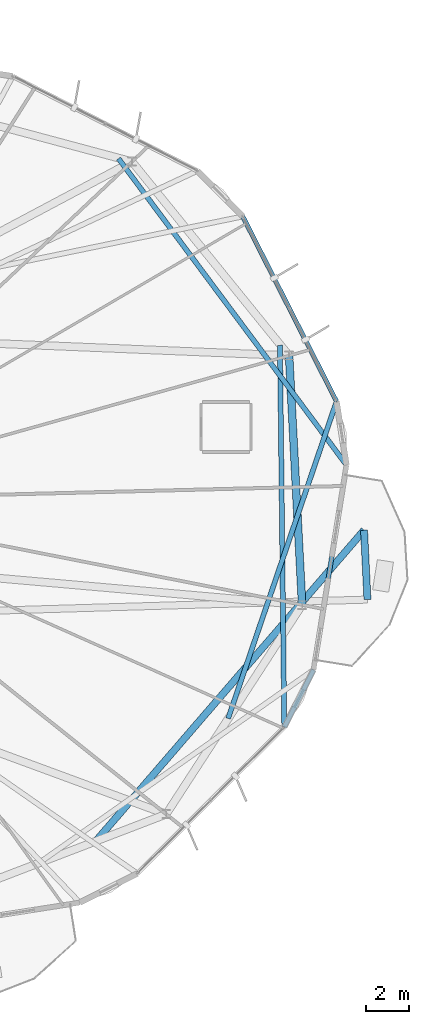
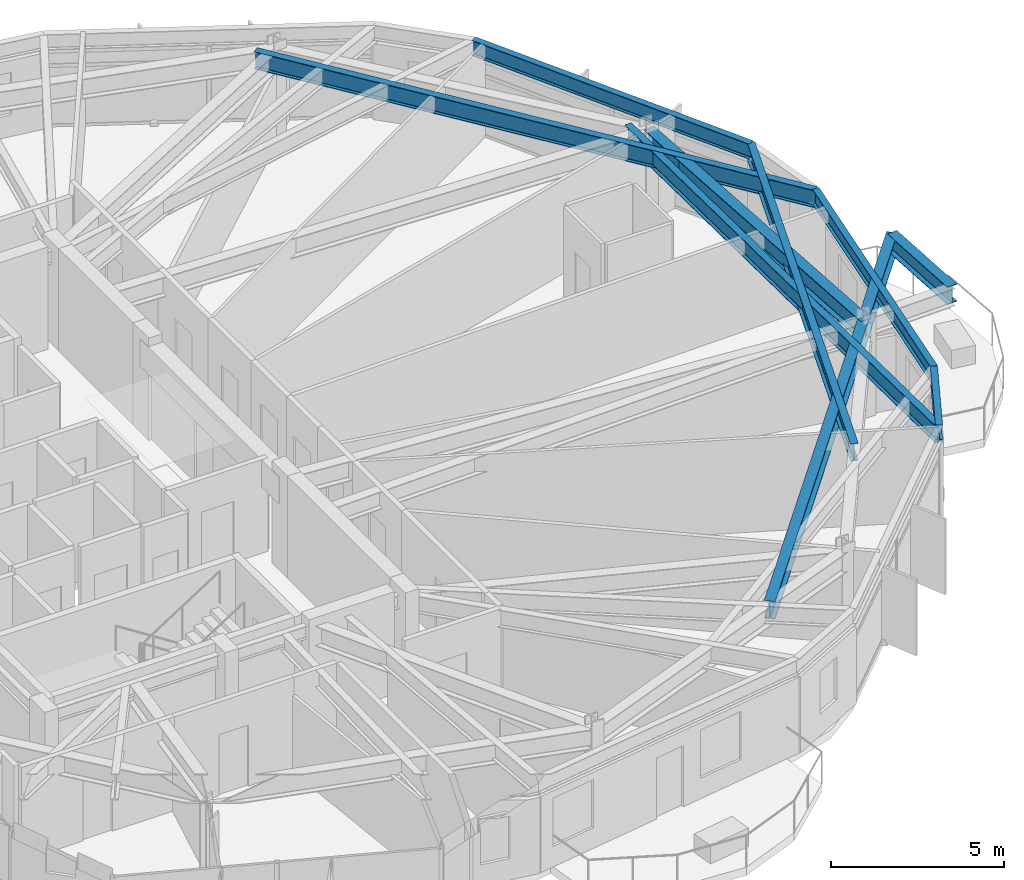
# One storey, part 11 of 27: 9 beams.
"""IFC4 building model written with IfcOpenShell, lengths in metres."""

from ifc_helpers import new_model, si_unit, direction, frame, origin, origin_2d, place, context, subcontext, project, spatial, i_section, extrude, material, material_profile, profile_set, type_object, element, save


model = new_model("IFC4")

# Units and contexts
model_context = context("Model", 3, precision=1e-05, world=origin(), true_north=direction((0.0, 1.0)))
body_context = subcontext(model_context, "Body", "Model", "MODEL_VIEW")
ifc_project = project(units=[si_unit("LENGTHUNIT", "METRE"), si_unit("AREAUNIT", "SQUARE_METRE"), si_unit("VOLUMEUNIT", "CUBIC_METRE"), si_unit("PLANEANGLEUNIT", "RADIAN"), si_unit("MASSUNIT", "GRAM", prefix="KILO")], contexts=[model_context])

# Site, building, storey
site_placement = place(None, origin())
site = spatial("IfcSite", under=ifc_project, at=site_placement, CompositionType="ELEMENT")
building_placement = place(site_placement, origin())
building = spatial("IfcBuilding", under=site, at=building_placement, Name="Soratama Intermodal Tower", CompositionType="ELEMENT")
storey_placement = place(building_placement, frame((0.0, 0.0, 197.800048828125)))
storey = spatial("IfcBuildingStorey", under=building, at=storey_placement, Name="L49", CompositionType="ELEMENT", Elevation=197.800048828125)

# Beams
ifc_material_1 = material(Name="Structural steel ASTM A992 Grade 50", Category="steel")
ifc_material_profile_1 = material_profile(ifc_material_1, i_section(OverallWidth=0.324951171875, OverallDepth=0.615966796875, WebThickness=0.013916015625, FlangeThickness=0.021484375, FilletRadius=0.013916015625, at=origin_2d()), Name="W24X117")
ifc_profile_set_1 = profile_set([ifc_material_profile_1], Name="Structural steel ASTM A992 Grade 50")
beam_type_1 = type_object("IfcBeamType", Name="BM-CANT-W24X117", PredefinedType="BEAM", material=ifc_profile_set_1)
beam_1_placement = place(storey_placement, frame((65.97412109375, 20.428955078125, 2.991943359375), z_axis=(-0.048783855411, 0.998809358913, 0.0), x_axis=(-0.998809358913, -0.048783855411, 0.0)))
element("IfcBeam", 1, at=beam_1_placement, inside=storey, type_object=beam_type_1, Name="BM-L49-CBHDR-1", PredefinedType="BEAM", context=body_context, shape_type="SweptSolid", body=[
    extrude(i_section(OverallWidth=0.324951171875, OverallDepth=0.615966796875, WebThickness=0.013916015625, FlangeThickness=0.021484375, FilletRadius=0.013916015625, at=origin_2d()), origin(), (0.0, 0.0, 1.0), 3.197998046875),
])
beam_2_placement = place(storey_placement, frame((53.488037109375, 9.330078125, 2.991943359375), z_axis=(0.653199526433, 0.757185828359, 0.0), x_axis=(-0.757185828359, 0.653199526433, 0.0)))
element("IfcBeam", 2, at=beam_2_placement, inside=storey, type_object=beam_type_1, Name="BM-L49-CANT-1-2", PredefinedType="BEAM", context=body_context, shape_type="SweptSolid", body=[
    extrude(i_section(OverallWidth=0.324951171875, OverallDepth=0.615966796875, WebThickness=0.013916015625, FlangeThickness=0.021484375, FilletRadius=0.013916015625, at=origin_2d()), origin(), (0.0, 0.0, 1.0), 18.87646484375),
])
ifc_material_2 = material(Name="Structural steel ASTM A992 Grade 50", Category="steel")
ifc_material_profile_2 = material_profile(ifc_material_2, i_section(OverallWidth=0.35498046875, OverallDepth=0.695068359375, WebThickness=0.015380859375, FlangeThickness=0.02490234375, FilletRadius=0.01611328125, at=origin_2d()), Name="W27X146")
ifc_profile_set_2 = profile_set([ifc_material_profile_2], Name="Structural steel ASTM A992 Grade 50")
beam_type_2 = type_object("IfcBeamType", Name="BM-RING-W27X146", PredefinedType="BEAM", material=ifc_profile_set_2)
beam_3_placement = place(storey_placement, frame((62.966064453125, 20.18603515625, 2.952392578125), z_axis=(-0.052286849724, 0.998632107108, 0.0), x_axis=(-0.998632107108, -0.052286849724, 0.0)))
element("IfcBeam", 3, at=beam_3_placement, inside=storey, type_object=beam_type_2, Name="BM-L49-RING-10", PredefinedType="BEAM", context=body_context, shape_type="SweptSolid", body=[
    extrude(i_section(OverallWidth=0.35498046875, OverallDepth=0.695068359375, WebThickness=0.015380859375, FlangeThickness=0.02490234375, FilletRadius=0.01611328125, at=origin_2d()), origin(), (0.0, 0.0, 1.0), 11.49560546875),
])
ifc_material_3 = material(Name="Structural steel ASTM A992 Grade 50", Category="steel")
ifc_material_profile_3 = material_profile(ifc_material_3, i_section(OverallWidth=0.2099609375, OverallDepth=0.537109375, WebThickness=0.010986328125, FlangeThickness=0.017333984375, FilletRadius=0.012939453125, at=origin_2d()), Name="W21X68")
ifc_profile_set_3 = profile_set([ifc_material_profile_3], Name="Structural steel ASTM A992 Grade 50")
beam_type_3 = type_object("IfcBeamType", Name="BM-SPN-W21X68", PredefinedType="SPANDREL", material=ifc_profile_set_3)
beam_4_placement = place(storey_placement, frame((62.14404296875, 14.552978515625, 3.031494140625), z_axis=(0.455818618257, 0.890072686498, 0.0), x_axis=(-0.890072686498, 0.455818618257, 0.0)))
element("IfcBeam", 4, at=beam_4_placement, inside=storey, type_object=beam_type_3, Name="BS-L49-CRN08", PredefinedType="SPANDREL", context=body_context, shape_type="SweptSolid", body=[
    extrude(i_section(OverallWidth=0.2099609375, OverallDepth=0.537109375, WebThickness=0.010986328125, FlangeThickness=0.017333984375, FilletRadius=0.012939453125, at=origin_2d()), origin(), (0.0, 0.0, 1.0), 2.96630859375),
])
beam_5_placement = place(storey_placement, frame((63.49609375, 17.193115234375, 3.031494140625), z_axis=(0.158481894746, 0.987361883525, 0.0), x_axis=(-0.987361883525, 0.158481894746, 0.0)))
element("IfcBeam", 5, at=beam_5_placement, inside=storey, type_object=beam_type_3, Name="BS-L49-F09", PredefinedType="SPANDREL", context=body_context, shape_type="SweptSolid", body=[
    extrude(i_section(OverallWidth=0.2099609375, OverallDepth=0.537109375, WebThickness=0.010986328125, FlangeThickness=0.017333984375, FilletRadius=0.012939453125, at=origin_2d()), origin(), (0.0, 0.0, 1.0), 9.552490234375),
])
beam_6_placement = place(storey_placement, frame((64.552001953125, 29.555908203125, 3.031494140625), z_axis=(-0.452154871553, 0.891939444206, 0.0), x_axis=(-0.891939444206, -0.452154871553, 0.0)))
element("IfcBeam", 6, at=beam_6_placement, inside=storey, type_object=beam_type_3, Name="BS-L49-F10", PredefinedType="SPANDREL", context=body_context, shape_type="SweptSolid", body=[
    extrude(i_section(OverallWidth=0.2099609375, OverallDepth=0.537109375, WebThickness=0.010986328125, FlangeThickness=0.017333984375, FilletRadius=0.012939453125, at=origin_2d()), origin(), (0.0, 0.0, 1.0), 9.55224609375),
])
ifc_material_4 = material(Name="Structural steel ASTM A992 Grade 50", Category="steel")
ifc_material_profile_4 = material_profile(ifc_material_4, i_section(OverallWidth=0.22900390625, OverallDepth=0.612060546875, WebThickness=0.011962890625, FlangeThickness=0.01953125, FilletRadius=0.012939453125, at=origin_2d()), Name="W24X84")
ifc_profile_set_4 = profile_set([ifc_material_profile_4], Name="Structural steel ASTM A992 Grade 50")
beam_type_4 = type_object("IfcBeamType", Name="BM-TIE-W24X84", PredefinedType="BEAM", material=ifc_profile_set_4)
beam_7_placement = place(storey_placement, frame((61.946044921875, 32.14306640625, 2.993896484375), z_axis=(0.011255515371, -0.999936654681, 0.0), x_axis=(0.999936654681, 0.011255515371, 0.0)))
element("IfcBeam", 7, at=beam_7_placement, inside=storey, type_object=beam_type_4, Name="BM-L49-TIE1-08", PredefinedType="BEAM", context=body_context, shape_type="SweptSolid", body=[
    extrude(i_section(OverallWidth=0.22900390625, OverallDepth=0.612060546875, WebThickness=0.011962890625, FlangeThickness=0.01953125, FilletRadius=0.012939453125, at=origin_2d()), origin(), (0.0, 0.0, 1.0), 17.59130859375),
])
beam_8_placement = place(storey_placement, frame((54.510986328125, 40.739013671875, 2.993896484375), z_axis=(0.596848731836, -0.802353781885, 0.0), x_axis=(0.802353781885, 0.596848731836, 0.0)))
element("IfcBeam", 8, at=beam_8_placement, inside=storey, type_object=beam_type_4, Name="BM-L49-TIE1-09", PredefinedType="BEAM", context=body_context, shape_type="SweptSolid", body=[
    extrude(i_section(OverallWidth=0.22900390625, OverallDepth=0.612060546875, WebThickness=0.011962890625, FlangeThickness=0.01953125, FilletRadius=0.012939453125, at=origin_2d()), origin(), (0.0, 0.0, 1.0), 17.5908203125),
])
beam_9_placement = place(storey_placement, frame((59.55908203125, 14.9560546875, 2.993896484375), z_axis=(0.323585169583, 0.946199047783, 0.0), x_axis=(-0.946199047783, 0.323585169583, 0.0)))
element("IfcBeam", 9, at=beam_9_placement, inside=storey, type_object=beam_type_4, Name="BM-L49-TIE0-10", PredefinedType="BEAM", context=body_context, shape_type="SweptSolid", body=[
    extrude(i_section(OverallWidth=0.22900390625, OverallDepth=0.612060546875, WebThickness=0.011962890625, FlangeThickness=0.01953125, FilletRadius=0.012939453125, at=origin_2d()), origin(), (0.0, 0.0, 1.0), 15.429931640625),
])

save(model, "model.ifc")
